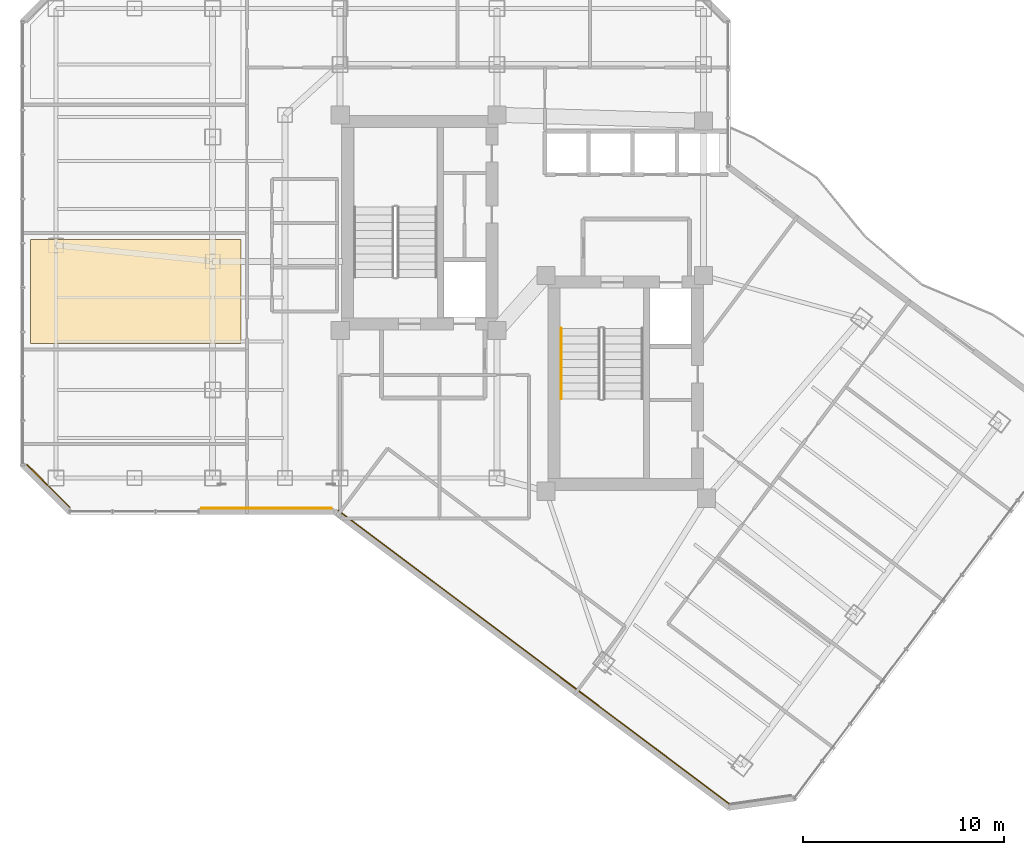
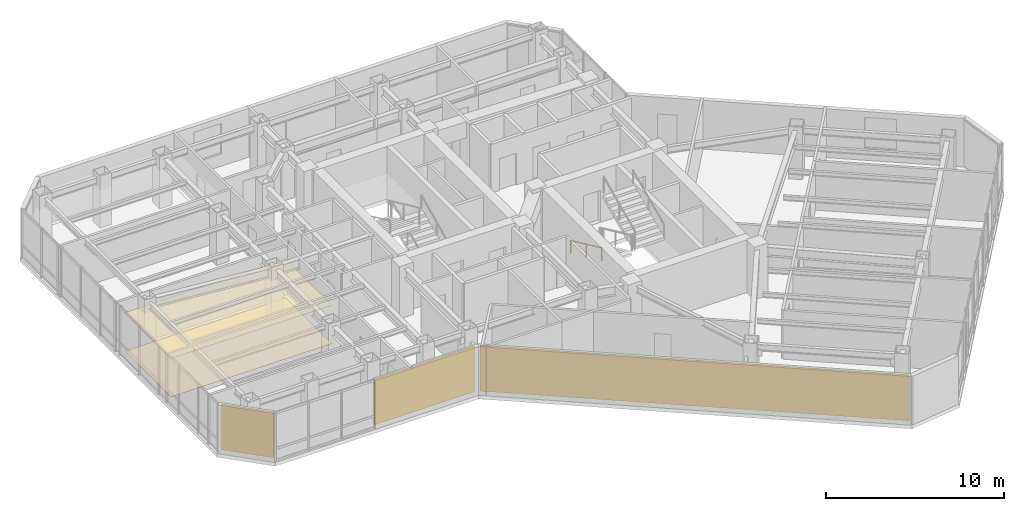
# One storey, part 25 of 27: 5 coverings, 1 railing.
"""IFC4 building model written with IfcOpenShell, lengths in metres."""

from ifc_helpers import new_model, si_unit, direction, frame, origin, origin_2d, place, context, subcontext, project, spatial, polyline, rectangle, circle, outline, extrude, material, layer, layer_set, type_object, element, save


model = new_model("IFC4")

# Units and contexts
model_context = context("Model", 3, precision=1e-05, world=origin(), true_north=direction((0.0, 1.0)))
body_context = subcontext(model_context, "Body", "Model", "MODEL_VIEW")
ifc_project = project(units=[si_unit("LENGTHUNIT", "METRE"), si_unit("AREAUNIT", "SQUARE_METRE"), si_unit("VOLUMEUNIT", "CUBIC_METRE"), si_unit("PLANEANGLEUNIT", "RADIAN"), si_unit("MASSUNIT", "GRAM", prefix="KILO")], contexts=[model_context])

# Site, building, storey
site_placement = place(None, origin())
site = spatial("IfcSite", under=ifc_project, at=site_placement, CompositionType="ELEMENT")
building_placement = place(site_placement, origin())
building = spatial("IfcBuilding", under=site, at=building_placement, Name="Hatsunagi Terrace Concourse", CompositionType="ELEMENT")
storey_placement = place(building_placement, frame((0.0, 0.0, 163.64990234375)))
storey = spatial("IfcBuildingStorey", under=building, at=storey_placement, Name="L43", CompositionType="ELEMENT", Elevation=163.64990234375)

# Covering
ifc_material_1 = material(Name="Hardwood timber", Category="wood")
ifc_layer_1 = layer(ifc_material_1, 0.014892578125)
ifc_layer_set_1 = layer_set([ifc_layer_1], Name="HardwoodTimberFlooring_15")
covering_type_1 = type_object("IfcCoveringType", Name="HardwoodTimberFlooring_15", PredefinedType="FLOORING", material=ifc_layer_set_1)
covering_1_placement = place(storey_placement, origin())
element("IfcCovering", 1, at=covering_1_placement, inside=storey, type_object=covering_type_1, Name="Finished Flooring L43-2", PredefinedType="FLOORING", context=body_context, shape_type="SweptSolid", body=[
    extrude(outline(polyline([(10.1298828125, 31.89990234375), (20.60009765625, 31.89990234375), (20.60009765625, 37.10009765625), (10.1298828125, 37.10009765625), (10.1298828125, 31.89990234375)])), origin(), (0.0, 0.0, 1.0), 0.01513671875),
])

# Railing
ifc_material_2 = material(Name="Stainless steel", Category="steel")
ifc_layer_2 = layer(ifc_material_2, 0.044921875)
ifc_layer_set_2 = layer_set([ifc_layer_2], Name="StairPitchHandrail_Tower2000")
railing_type = type_object("IfcRailingType", Name="StairPitchHandrail_Tower2000", PredefinedType="HANDRAIL", material=ifc_layer_set_2)
railing_placement = place(storey_placement, frame((36.550048828125, 32.659912109375, 0.18017578125)))
element("IfcRailing", 2, at=railing_placement, inside=storey, type_object=railing_type, Name="L43 ST-B stair handrail 1", PredefinedType="HANDRAIL", context=body_context, shape_type="SweptSolid", body=[
    extrude(circle(Radius=0.02392578125, at=origin_2d()), frame((0.0, 0.0, 0.8759765625), z_axis=(0.0, -0.907972323039, 0.419030142823), x_axis=(1.0, 0.0, 0.0)), (0.0, 0.0, 1.0), 3.86572265625),
    extrude(circle(Radius=0.02099609375, at=origin_2d()), origin(), (0.0, 0.0, 1.0), 0.851806640625),
    extrude(circle(Radius=0.02099609375, at=origin_2d()), frame((0.0, -1.7548828125, 0.81005859375)), (0.0, 0.0, 1.0), 0.851806640625),
    extrude(circle(Radius=0.02099609375, at=origin_2d()), frame((0.0, -3.510009765625, 1.619873046875)), (0.0, 0.0, 1.0), 0.851806640625),
])

# Coverings
ifc_material_3 = material(Name="Unglazed Warm Terracotta Rainscreen Tile", Category="masonry")
ifc_layer_3 = layer(ifc_material_3, 0.044921875)
ifc_layer_set_3 = layer_set([ifc_layer_3], Name="TerracottaRainscreenCladding_45")
covering_type_2 = type_object("IfcCoveringType", Name="TerracottaRainscreenCladding_45", PredefinedType="CLADDING", material=ifc_layer_set_3)
covering_2_placement = place(storey_placement, frame((35.179931640625, 16.29296875, 0.10009765625), z_axis=(0.0, 0.0, 1.0), x_axis=(-0.800005211305, 0.599993051531, 0.0)))
element("IfcCovering", 3, at=covering_2_placement, inside=storey, type_object=covering_type_2, Name="Terracotta Rainscreen Cladding L43-05", PredefinedType="CLADDING", context=body_context, shape_type="SweptSolid", body=[
    extrude(rectangle(XDim=24.34912109375, YDim=0.044921875, at=origin_2d()), origin(), (0.0, 0.0, 1.0), 3.14990234375),
])
covering_3_placement = place(storey_placement, frame((21.873046875, 23.701904296875, 0.10009765625), z_axis=(0.0, 0.0, 1.0), x_axis=(-1.0, 0.0, 0.0)))
element("IfcCovering", 4, at=covering_3_placement, inside=storey, type_object=covering_type_2, Name="Terracotta Rainscreen Cladding L43-06", PredefinedType="CLADDING", context=body_context, shape_type="SweptSolid", body=[
    extrude(rectangle(XDim=6.507080078125, YDim=0.044921875, at=origin_2d()), origin(), (0.0, 0.0, 1.0), 3.14990234375),
])
covering_4_placement = place(storey_placement, frame((11.013916015625, 24.81396484375, 0.10009765625), z_axis=(0.0, 0.0, 1.0), x_axis=(-0.707106781187, 0.707106781187, 0.0)))
element("IfcCovering", 5, at=covering_4_placement, inside=storey, type_object=covering_type_2, Name="Terracotta Rainscreen Cladding L43-08", PredefinedType="CLADDING", context=body_context, shape_type="SweptSolid", body=[
    extrude(rectangle(XDim=3.0380859375, YDim=0.044921875, at=origin_2d()), origin(), (0.0, 0.0, 1.0), 3.14990234375),
])
ifc_material_4 = material(Name="Hardwood timber", Category="wood")
ifc_layer_4 = layer(ifc_material_4, 0.034912109375)
ifc_layer_set_4 = layer_set([ifc_layer_4], Name="TimberBaffleCeiling_35")
covering_type_3 = type_object("IfcCoveringType", Name="TimberBaffleCeiling_35", PredefinedType="CEILING", material=ifc_layer_set_4)
covering_5_placement = place(storey_placement, frame((0.0, 0.0, 2.630126953125)))
element("IfcCovering", 6, at=covering_5_placement, inside=storey, type_object=covering_type_3, Name="Suspended Ceiling L43-2", PredefinedType="CEILING", context=body_context, shape_type="SweptSolid", body=[
    extrude(outline(polyline([(10.1298828125, 31.89990234375), (20.60009765625, 31.89990234375), (20.60009765625, 37.10009765625), (10.1298828125, 37.10009765625), (10.1298828125, 31.89990234375)])), origin(), (0.0, 0.0, 1.0), 0.034912109375),
])

save(model, "model.ifc")
